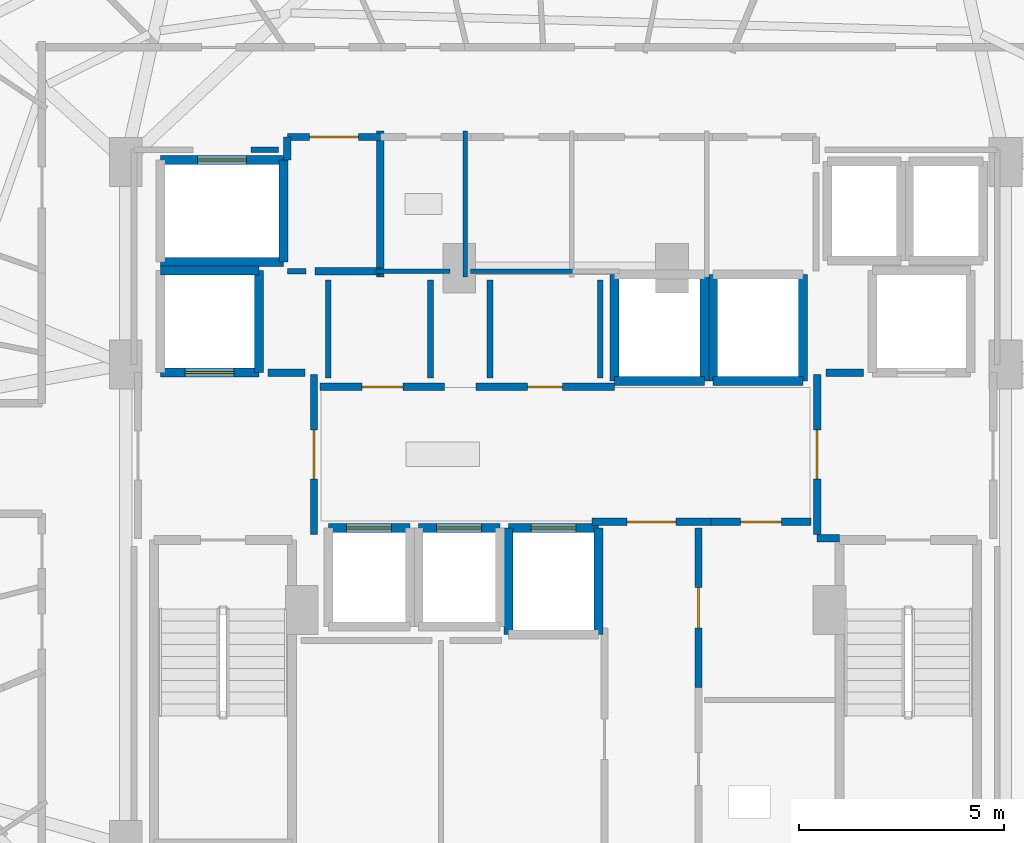
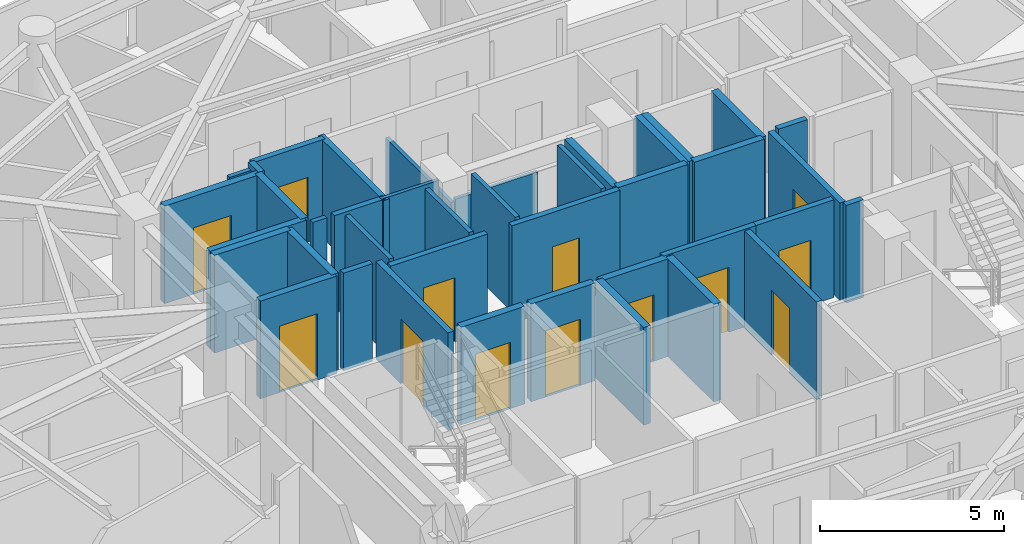
# One storey, part 22 of 28: 40 walls, 13 doors, 13 openings.
"""IFC4 building model written with IfcOpenShell, lengths in metres."""

from ifc_helpers import new_model, si_unit, direction, frame, frame_2d, origin, place, context, subcontext, project, spatial, rectangle, extrude, material, layer, layer_set, type_object, element, fill, save


model = new_model("IFC4")

# Units and contexts
model_context = context("Model", 3, precision=1e-05, world=origin(), true_north=direction((0.0, 1.0)))
body_context = subcontext(model_context, "Body", "Model", "MODEL_VIEW")
ifc_project = project(units=[si_unit("LENGTHUNIT", "METRE"), si_unit("AREAUNIT", "SQUARE_METRE"), si_unit("VOLUMEUNIT", "CUBIC_METRE"), si_unit("PLANEANGLEUNIT", "RADIAN"), si_unit("MASSUNIT", "GRAM", prefix="KILO")], contexts=[model_context])

# Site, building, storey
site_placement = place(None, origin())
site = spatial("IfcSite", under=ifc_project, at=site_placement, CompositionType="ELEMENT")
building_placement = place(site_placement, origin())
building = spatial("IfcBuilding", under=site, at=building_placement, Name="Vorneva Point Tower", CompositionType="ELEMENT")
storey_placement = place(building_placement, frame((0.0, 0.0, 160.60009765625)))
storey = spatial("IfcBuildingStorey", under=building, at=storey_placement, Name="L43", CompositionType="ELEMENT", Elevation=160.60009765625)

# Wall, opening, door
ifc_material_1 = material(Name="Concrete B60 (C50/60)", Category="concrete")
ifc_layer_1 = layer(ifc_material_1, 0.5)
ifc_layer_set_1 = layer_set([ifc_layer_1], Name="Concrete B60 (C50/60)")
wall_type_1 = type_object("IfcWallType", Name="WL-CORE-500", PredefinedType="SHEAR", material=ifc_layer_set_1)
wall_1_placement = place(storey_placement, frame((28.10009765625, 28.0, 0.0), z_axis=(0.0, 0.0, 1.0), x_axis=(1.0, 0.0, 0.0)))
wall_1 = element("IfcWall", 1, at=wall_1_placement, inside=storey, type_object=wall_type_1, Name="L43 Lift FFL1 Shaft Wall -Y", PredefinedType="SHEAR", context=body_context, shape_type="SweptSolid", body=[
    extrude(rectangle(XDim=2.39990234375, YDim=0.219970703125, at=frame_2d((1.199951171875, 0.0))), origin(), (0.0, 0.0, 1.0), 3.239990234375),
])
opening_1_placement = place(wall_1_placement, frame((0.60009765625, 0.0, 0.0)))
opening_1 = element("IfcOpeningElement", 2, at=opening_1_placement, cuts=wall_1, Name="Opening LD-02", PredefinedType="OPENING", context=body_context, shape_type="SweptSolid", body=[
    extrude(rectangle(XDim=1.199951171875, YDim=2.199951171875, at=frame_2d((0.60009765625, 1.10009765625))), frame((0.0, 0.125, 0.0), z_axis=(0.0, -1.0, 0.0), x_axis=(1.0, 0.0, 0.0)), (0.0, 0.0, 1.0), 0.249755859375),
])
ifc_material_2 = material(Name="Brushed stainless steel S304", Category="steel")
door_type_1 = type_object("IfcDoorType", Name="LD-FIRE-1200", OperationType="SLIDING_TO_LEFT", PredefinedType="DOOR", material=ifc_material_2)
door_1_placement = place(opening_1_placement, origin())
door_1 = element("IfcDoor", 3, at=door_1_placement, inside=storey, type_object=door_type_1, Name="L43 Lift FFL1 Sliding Landing Door", OperationType="SLIDING_TO_LEFT", OverallHeight=2.199951171875, OverallWidth=1.199951171875, PredefinedType="DOOR", context=body_context, shape_type="SweptSolid", body=[
    extrude(rectangle(XDim=1.199951171875, YDim=2.199951171875, at=frame_2d((0.60009765625, 1.10009765625))), frame((0.0, 0.02490234375, 0.0), z_axis=(0.0, -1.0, 0.0), x_axis=(1.0, 0.0, 0.0)), (0.0, 0.0, 1.0), 0.050048828125),
])
fill(opening_1, door_1)

# Walls
wall_2_placement = place(storey_placement, frame((30.5, 28.0, 0.0), z_axis=(0.0, 0.0, 1.0), x_axis=(0.0, 1.0, 0.0)))
element("IfcWall", 4, at=wall_2_placement, inside=storey, type_object=wall_type_1, Name="L43 Lift FFL1 Shaft Wall +X", PredefinedType="SHEAR", context=body_context, shape_type="SweptSolid", body=[
    extrude(rectangle(XDim=2.5, YDim=0.219970703125, at=frame_2d((1.25, 0.0))), origin(), (0.0, 0.0, 1.0), 3.239990234375),
])
wall_3_placement = place(storey_placement, frame((30.5, 30.5, 0.0), z_axis=(0.0, 0.0, 1.0), x_axis=(-1.0, 0.0, 0.0)))
element("IfcWall", 5, at=wall_3_placement, inside=storey, type_object=wall_type_1, Name="L43 Lift FFL1 Shaft Wall +Y", PredefinedType="SHEAR", context=body_context, shape_type="SweptSolid", body=[
    extrude(rectangle(XDim=2.39990234375, YDim=0.219970703125, at=frame_2d((1.199951171875, 0.0))), origin(), (0.0, 0.0, 1.0), 3.239990234375),
])
ifc_material_3 = material(Name="Fire-rated acoustic gypsum stud partition", Category="gypsum")
ifc_layer_2 = layer(ifc_material_3, 0.110107421875)
ifc_layer_set_2 = layer_set([ifc_layer_2], Name="Fire-rated acoustic gypsum stud partition")
wall_type_2 = type_object("IfcWallType", Name="WL-PART-110", PredefinedType="PARTITIONING", material=ifc_layer_set_2)
wall_4_placement = place(storey_placement, frame((35.550048828125, 30.340087890625, 0.0), z_axis=(0.0, 0.0, 1.0), x_axis=(0.0, 1.0, 0.0)))
element("IfcWall", 6, at=wall_4_placement, inside=storey, type_object=wall_type_2, Name="L43 Interior Partition 020", PredefinedType="PARTITIONING", context=body_context, shape_type="SweptSolid", body=[
    extrude(rectangle(XDim=3.559814453125, YDim=0.110107421875, at=frame_2d((1.77978515625, 0.0))), origin(), (0.0, 0.0, 1.0), 2.431884765625),
])
wall_5_placement = place(storey_placement, frame((33.360107421875, 30.47998046875, 0.0), z_axis=(0.0, 0.0, 1.0), x_axis=(1.0, 0.0, 0.0)))
element("IfcWall", 7, at=wall_5_placement, inside=storey, type_object=wall_type_2, Name="L43 Interior Partition 021", PredefinedType="PARTITIONING", context=body_context, shape_type="SweptSolid", body=[
    extrude(rectangle(XDim=1.809814453125, YDim=0.110107421875, at=frame_2d((0.90478515625, 0.0))), origin(), (0.0, 0.0, 1.0), 3.239990234375),
])
wall_6_placement = place(storey_placement, frame((35.679931640625, 30.47998046875, 0.0), z_axis=(0.0, 0.0, 1.0), x_axis=(1.0, 0.0, 0.0)))
element("IfcWall", 8, at=wall_6_placement, inside=storey, type_object=wall_type_2, Name="L43 Interior Partition 024", PredefinedType="PARTITIONING", context=body_context, shape_type="SweptSolid", body=[
    extrude(rectangle(XDim=2.594970703125, YDim=0.110107421875, at=frame_2d((1.29736328125, 0.0))), origin(), (0.0, 0.0, 1.0), 2.431884765625),
])
ifc_layer_3 = layer(ifc_material_3, 0.139892578125)
ifc_layer_set_3 = layer_set([ifc_layer_3], Name="Fire-rated acoustic gypsum stud partition")
wall_type_3 = type_object("IfcWallType", Name="WL-PART-140", PredefinedType="PARTITIONING", material=ifc_layer_set_3)
wall_7_placement = place(storey_placement, frame((31.199951171875, 30.47998046875, 0.0), z_axis=(0.0, 0.0, 1.0), x_axis=(1.0, 0.0, 0.0)))
element("IfcWall", 9, at=wall_7_placement, inside=storey, type_object=wall_type_3, Name="L43 Interior Closure Partition 133", PredefinedType="PARTITIONING", context=body_context, shape_type="SweptSolid", body=[
    extrude(rectangle(XDim=0.449951171875, YDim=0.139892578125, at=frame_2d((0.22509765625, 0.0))), origin(), (0.0, 0.0, 1.0), 3.239990234375),
])
for number, where, z_axis, x_axis, name in (
    (10, (32.199951171875, 30.260009765625, 0.0), (0.0, 0.0, 1.0), (0.0, -1.0, 0.0), "L43 Interior Closure Partition 137"),
    (11, (34.699951171875, 27.8701171875, 0.0), (0.0, 0.0, 1.0), (0.0, 1.0, 0.0), "L43 Interior Closure Partition 138"),
    (12, (36.14990234375, 30.260009765625, 0.0), (0.0, 0.0, 1.0), (0.0, -1.0, 0.0), "L43 Interior Closure Partition 139"),
    (13, (38.85009765625, 27.8701171875, 0.0), (0.0, 0.0, 1.0), (0.0, 1.0, 0.0), "L43 Interior Closure Partition 140"),
):
    element("IfcWall", number, at=place(storey_placement, frame(where, z_axis=z_axis, x_axis=x_axis)), inside=storey, type_object=wall_type_3, Name=name, PredefinedType="PARTITIONING", context=body_context, shape_type="SweptSolid", body=[
        extrude(rectangle(XDim=2.389892578125, YDim=0.139892578125, at=frame_2d((1.19482421875, 0.0))), origin(), (0.0, 0.0, 1.0), 3.239990234375),
    ])
wall_8_placement = place(storey_placement, frame((30.97998046875, 33.449951171875, 0.0), z_axis=(0.0, 0.0, 1.0), x_axis=(-1.0, 0.0, 0.0)))
element("IfcWall", 14, at=wall_8_placement, inside=storey, type_object=wall_type_3, Name="L43 Interior Closure Partition 143", PredefinedType="PARTITIONING", context=body_context, shape_type="SweptSolid", body=[
    extrude(rectangle(XDim=0.674072265625, YDim=0.139892578125, at=frame_2d((0.3369140625, 0.0))), origin(), (0.0, 0.0, 1.0), 3.239990234375),
])

# Wall, opening, door
ifc_material_4 = material(Name="Autoclaved aerated concrete blockwork", Category="masonry")
ifc_layer_4 = layer(ifc_material_4, 0.179931640625)
ifc_layer_set_4 = layer_set([ifc_layer_4], Name="Autoclaved aerated concrete blockwork")
wall_type_4 = type_object("IfcWallType", Name="WL-PART-180", PredefinedType="PARTITIONING", material=ifc_layer_set_4)
wall_9_placement = place(storey_placement, frame((31.85009765625, 24.044921875, 0.0), z_axis=(0.0, 0.0, 1.0), x_axis=(0.0, 1.0, 0.0)))
wall_9 = element("IfcWall", 15, at=wall_9_placement, inside=storey, type_object=wall_type_4, Name="L43 Interior Partition 001", PredefinedType="PARTITIONING", context=body_context, shape_type="SweptSolid", body=[
    extrude(rectangle(XDim=3.91015625, YDim=0.179931640625, at=frame_2d((1.955078125, 0.0))), origin(), (0.0, 0.0, 1.0), 3.239990234375),
])
opening_2_placement = place(wall_9_placement, frame((1.35498046875, 0.0, 0.0)))
opening_2 = element("IfcOpeningElement", 16, at=opening_2_placement, cuts=wall_9, Name="Opening FD-02", PredefinedType="OPENING", context=body_context, shape_type="SweptSolid", body=[
    extrude(rectangle(XDim=1.199951171875, YDim=2.14990234375, at=frame_2d((0.60009765625, 1.074951171875))), frame((0.0, 0.10498046875, 0.0), z_axis=(0.0, -1.0, 0.0), x_axis=(1.0, 0.0, 0.0)), (0.0, 0.0, 1.0), 0.209716796875),
])
ifc_material_5 = material(Name="Fire-rated powder-coated steel", Category="steel")
door_type_2 = type_object("IfcDoorType", Name="DR-FFL-1200", OperationType="NOTDEFINED", PredefinedType="DOOR", material=ifc_material_5)
door_2_placement = place(opening_2_placement, origin())
door_2 = element("IfcDoor", 17, at=door_2_placement, inside=storey, type_object=door_type_2, Name="L43 Door West Firefighting Lobby / Central Lift Lobby", OperationType="SINGLE_SWING_LEFT", OverallHeight=2.14990234375, OverallWidth=1.199951171875, PredefinedType="DOOR", context=body_context, shape_type="SweptSolid", body=[
    extrude(rectangle(XDim=1.199951171875, YDim=2.14990234375, at=frame_2d((0.60009765625, 1.074951171875))), frame((0.0, 0.02490234375, 0.0), z_axis=(0.0, -1.0, 0.0), x_axis=(1.0, 0.0, 0.0)), (0.0, 0.0, 1.0), 0.050048828125),
])
fill(opening_2, door_2)

wall_10_placement = place(storey_placement, frame((44.14990234375, 27.955078125, 0.0), z_axis=(0.0, 0.0, 1.0), x_axis=(0.0, -1.0, 0.0)))
wall_10 = element("IfcWall", 18, at=wall_10_placement, inside=storey, type_object=wall_type_4, Name="L43 Interior Partition 003", PredefinedType="PARTITIONING", context=body_context, shape_type="SweptSolid", body=[
    extrude(rectangle(XDim=3.91015625, YDim=0.179931640625, at=frame_2d((1.955078125, 0.0))), origin(), (0.0, 0.0, 1.0), 3.239990234375),
])
opening_3_placement = place(wall_10_placement, frame((1.35498046875, 0.0, 0.0)))
opening_3 = element("IfcOpeningElement", 19, at=opening_3_placement, cuts=wall_10, Name="Opening FD-02", PredefinedType="OPENING", context=body_context, shape_type="SweptSolid", body=[
    extrude(rectangle(XDim=1.199951171875, YDim=2.14990234375, at=frame_2d((0.60009765625, 1.074951171875))), frame((0.0, 0.10498046875, 0.0), z_axis=(0.0, -1.0, 0.0), x_axis=(1.0, 0.0, 0.0)), (0.0, 0.0, 1.0), 0.209716796875),
])
door_3_placement = place(opening_3_placement, origin())
door_3 = element("IfcDoor", 20, at=door_3_placement, inside=storey, type_object=door_type_2, Name="L43 Door East Firefighting Lobby / Central Lift Lobby", OperationType="SINGLE_SWING_LEFT", OverallHeight=2.14990234375, OverallWidth=1.199951171875, PredefinedType="DOOR", context=body_context, shape_type="SweptSolid", body=[
    extrude(rectangle(XDim=1.199951171875, YDim=2.14990234375, at=frame_2d((0.60009765625, 1.074951171875))), frame((0.0, 0.02490234375, 0.0), z_axis=(0.0, -1.0, 0.0), x_axis=(1.0, 0.0, 0.0)), (0.0, 0.0, 1.0), 0.050048828125),
])
fill(opening_3, door_3)

# Walls
wall_11_placement = place(storey_placement, frame((44.14990234375, 23.949951171875, 0.0), z_axis=(0.0, 0.0, 1.0), x_axis=(1.0, 0.0, 0.0)))
element("IfcWall", 21, at=wall_11_placement, inside=storey, type_object=wall_type_4, Name="L43 Interior Partition 004", PredefinedType="PARTITIONING", context=body_context, shape_type="SweptSolid", body=[
    extrude(rectangle(XDim=0.5400390625, YDim=0.179931640625, at=frame_2d((0.27001953125, 0.0))), origin(), (0.0, 0.0, 1.0), 3.239990234375),
])
wall_12_placement = place(storey_placement, frame((33.469970703125, 30.340087890625, 0.0), z_axis=(0.0, 0.0, 1.0), x_axis=(0.0, 1.0, 0.0)))
element("IfcWall", 22, at=wall_12_placement, inside=storey, type_object=wall_type_4, Name="L43 Interior Partition 006", PredefinedType="PARTITIONING", context=body_context, shape_type="SweptSolid", body=[
    extrude(rectangle(XDim=3.559814453125, YDim=0.179931640625, at=frame_2d((1.77978515625, 0.0))), origin(), (0.0, 0.0, 1.0), 3.239990234375),
])
wall_13_placement = place(storey_placement, frame((31.8701171875, 30.47998046875, 0.0), z_axis=(0.0, 0.0, 1.0), x_axis=(1.0, 0.0, 0.0)))
element("IfcWall", 23, at=wall_13_placement, inside=storey, type_object=wall_type_4, Name="L43 Interior Partition 007", PredefinedType="PARTITIONING", context=body_context, shape_type="SweptSolid", body=[
    extrude(rectangle(XDim=1.599853515625, YDim=0.179931640625, at=frame_2d((0.7998046875, 0.0))), origin(), (0.0, 0.0, 1.0), 3.239990234375),
])

# Wall, opening, door
wall_14_placement = place(storey_placement, frame((33.469970703125, 33.760009765625, 0.0), z_axis=(0.0, 0.0, 1.0), x_axis=(-1.0, 0.0, 0.0)))
wall_14 = element("IfcWall", 24, at=wall_14_placement, inside=storey, type_object=wall_type_4, Name="L43 Interior Partition 008", PredefinedType="PARTITIONING", context=body_context, shape_type="SweptSolid", body=[
    extrude(rectangle(XDim=2.27001953125, YDim=0.179931640625, at=frame_2d((1.135009765625, 0.0))), origin(), (0.0, 0.0, 1.0), 3.239990234375),
])
opening_4_placement = place(wall_14_placement, frame((0.534912109375, 0.0, 0.0)))
opening_4 = element("IfcOpeningElement", 25, at=opening_4_placement, cuts=wall_14, Name="Opening FD-02", PredefinedType="OPENING", context=body_context, shape_type="SweptSolid", body=[
    extrude(rectangle(XDim=1.199951171875, YDim=2.14990234375, at=frame_2d((0.60009765625, 1.074951171875))), frame((0.0, 0.10498046875, 0.0), z_axis=(0.0, -1.0, 0.0), x_axis=(1.0, 0.0, 0.0)), (0.0, 0.0, 1.0), 0.209716796875),
])
door_4_placement = place(opening_4_placement, origin())
door_4 = element("IfcDoor", 26, at=door_4_placement, inside=storey, type_object=door_type_2, Name="L43 Door Service Lift Lobby / L43 Circulation Corridor", OperationType="SINGLE_SWING_LEFT", OverallHeight=2.14990234375, OverallWidth=1.199951171875, PredefinedType="DOOR", context=body_context, shape_type="SweptSolid", body=[
    extrude(rectangle(XDim=1.199951171875, YDim=2.14990234375, at=frame_2d((0.60009765625, 1.074951171875))), frame((0.0, 0.02490234375, 0.0), z_axis=(0.0, -1.0, 0.0), x_axis=(1.0, 0.0, 0.0)), (0.0, 0.0, 1.0), 0.050048828125),
])
fill(opening_4, door_4)

# Wall
wall_15_placement = place(storey_placement, frame((31.199951171875, 33.760009765625, 0.0), z_axis=(0.0, 0.0, 1.0), x_axis=(0.0, -1.0, 0.0)))
element("IfcWall", 27, at=wall_15_placement, inside=storey, type_object=wall_type_4, Name="L43 Interior Partition 009", PredefinedType="PARTITIONING", context=body_context, shape_type="SweptSolid", body=[
    extrude(rectangle(XDim=0.56005859375, YDim=0.179931640625, at=frame_2d((0.280029296875, 0.0))), origin(), (0.0, 0.0, 1.0), 3.239990234375),
])

# Wall, opening, door
wall_16_placement = place(storey_placement, frame((38.64501953125, 24.35009765625, 0.0), z_axis=(0.0, 0.0, 1.0), x_axis=(1.0, 0.0, 0.0)))
wall_16 = element("IfcWall", 28, at=wall_16_placement, inside=storey, type_object=wall_type_4, Name="L43 Interior Partition 010", PredefinedType="PARTITIONING", context=body_context, shape_type="SweptSolid", body=[
    extrude(rectangle(XDim=2.909912109375, YDim=0.179931640625, at=frame_2d((1.455078125, 0.0))), origin(), (0.0, 0.0, 1.0), 3.239990234375),
])
opening_5_placement = place(wall_16_placement, frame((0.85498046875, 0.0, 0.0)))
opening_5 = element("IfcOpeningElement", 29, at=opening_5_placement, cuts=wall_16, Name="Opening FD-02", PredefinedType="OPENING", context=body_context, shape_type="SweptSolid", body=[
    extrude(rectangle(XDim=1.199951171875, YDim=2.14990234375, at=frame_2d((0.60009765625, 1.074951171875))), frame((0.0, 0.10498046875, 0.0), z_axis=(0.0, -1.0, 0.0), x_axis=(1.0, 0.0, 0.0)), (0.0, 0.0, 1.0), 0.209716796875),
])
door_5_placement = place(opening_5_placement, origin())
door_5 = element("IfcDoor", 30, at=door_5_placement, inside=storey, type_object=door_type_2, Name="L43 Door Central Lift Lobby / Core Service Lobby", OperationType="SINGLE_SWING_RIGHT", OverallHeight=2.14990234375, OverallWidth=1.199951171875, PredefinedType="DOOR", context=body_context, shape_type="SweptSolid", body=[
    extrude(rectangle(XDim=1.199951171875, YDim=2.14990234375, at=frame_2d((0.60009765625, 1.074951171875))), frame((0.0, 0.02490234375, 0.0), z_axis=(0.0, -1.0, 0.0), x_axis=(1.0, 0.0, 0.0)), (0.0, 0.0, 1.0), 0.050048828125),
])
fill(opening_5, door_5)

wall_17_placement = place(storey_placement, frame((41.554931640625, 24.35009765625, 0.0), z_axis=(0.0, 0.0, 1.0), x_axis=(1.0, 0.0, 0.0)))
wall_17 = element("IfcWall", 31, at=wall_17_placement, inside=storey, type_object=wall_type_4, Name="L43 Interior Partition 011", PredefinedType="PARTITIONING", context=body_context, shape_type="SweptSolid", body=[
    extrude(rectangle(XDim=2.445068359375, YDim=0.179931640625, at=frame_2d((1.22265625, 0.0))), origin(), (0.0, 0.0, 1.0), 3.239990234375),
])
opening_6_placement = place(wall_17_placement, frame((0.722412109375, 0.0, 0.0)))
opening_6 = element("IfcOpeningElement", 32, at=opening_6_placement, cuts=wall_17, Name="Opening UD-01", PredefinedType="OPENING", context=body_context, shape_type="SweptSolid", body=[
    extrude(rectangle(XDim=1.0, YDim=2.14990234375, at=frame_2d((0.5, 1.074951171875))), frame((0.0, 0.10498046875, 0.0), z_axis=(0.0, -1.0, 0.0), x_axis=(1.0, 0.0, 0.0)), (0.0, 0.0, 1.0), 0.209716796875),
])
ifc_material_6 = material(Name="Engineered oak fire-rated door leaf", Category="wood")
door_type_3 = type_object("IfcDoorType", Name="DR-UNIT-1000", OperationType="NOTDEFINED", PredefinedType="DOOR", material=ifc_material_6)
door_6_placement = place(opening_6_placement, origin())
door_6 = element("IfcDoor", 33, at=door_6_placement, inside=storey, type_object=door_type_3, Name="L43 Door Central Lift Lobby / Floor Management Office", OperationType="SINGLE_SWING_LEFT", OverallHeight=2.14990234375, OverallWidth=1.0, PredefinedType="DOOR", context=body_context, shape_type="SweptSolid", body=[
    extrude(rectangle(XDim=1.0, YDim=2.14990234375, at=frame_2d((0.5, 1.074951171875))), frame((0.0, 0.02490234375, 0.0), z_axis=(0.0, -1.0, 0.0), x_axis=(1.0, 0.0, 0.0)), (0.0, 0.0, 1.0), 0.050048828125),
])
fill(opening_6, door_6)

wall_18_placement = place(storey_placement, frame((35.0400390625, 27.64990234375, 0.0), z_axis=(0.0, 0.0, 1.0), x_axis=(-1.0, 0.0, 0.0)))
wall_18 = element("IfcWall", 34, at=wall_18_placement, inside=storey, type_object=wall_type_4, Name="L43 Interior Partition 012", PredefinedType="PARTITIONING", context=body_context, shape_type="SweptSolid", body=[
    extrude(rectangle(XDim=3.0400390625, YDim=0.179931640625, at=frame_2d((1.52001953125, 0.0))), origin(), (0.0, 0.0, 1.0), 3.239990234375),
])
opening_7_placement = place(wall_18_placement, frame((1.02001953125, 0.0, 0.0)))
opening_7 = element("IfcOpeningElement", 35, at=opening_7_placement, cuts=wall_18, Name="Opening UD-01", PredefinedType="OPENING", context=body_context, shape_type="SweptSolid", body=[
    extrude(rectangle(XDim=1.0, YDim=2.14990234375, at=frame_2d((0.5, 1.074951171875))), frame((0.0, 0.10498046875, 0.0), z_axis=(0.0, -1.0, 0.0), x_axis=(1.0, 0.0, 0.0)), (0.0, 0.0, 1.0), 0.209716796875),
])
door_7_placement = place(opening_7_placement, origin())
door_7 = element("IfcDoor", 36, at=door_7_placement, inside=storey, type_object=door_type_3, Name="L43 Door Central Lift Lobby / Reclaimed Core Lounge", OperationType="SINGLE_SWING_RIGHT", OverallHeight=2.14990234375, OverallWidth=1.0, PredefinedType="DOOR", context=body_context, shape_type="SweptSolid", body=[
    extrude(rectangle(XDim=1.0, YDim=2.14990234375, at=frame_2d((0.5, 1.074951171875))), frame((0.0, 0.02490234375, 0.0), z_axis=(0.0, -1.0, 0.0), x_axis=(1.0, 0.0, 0.0)), (0.0, 0.0, 1.0), 0.050048828125),
])
fill(opening_7, door_7)

wall_19_placement = place(storey_placement, frame((39.18994140625, 27.64990234375, 0.0), z_axis=(0.0, 0.0, 1.0), x_axis=(-1.0, 0.0, 0.0)))
wall_19 = element("IfcWall", 37, at=wall_19_placement, inside=storey, type_object=wall_type_4, Name="L43 Interior Partition 013", PredefinedType="PARTITIONING", context=body_context, shape_type="SweptSolid", body=[
    extrude(rectangle(XDim=3.3798828125, YDim=0.179931640625, at=frame_2d((1.68994140625, 0.0))), origin(), (0.0, 0.0, 1.0), 3.239990234375),
])
opening_8_placement = place(wall_19_placement, frame((1.264892578125, 0.0, 0.0)))
opening_8 = element("IfcOpeningElement", 38, at=opening_8_placement, cuts=wall_19, Name="Opening ID-02", PredefinedType="OPENING", context=body_context, shape_type="SweptSolid", body=[
    extrude(rectangle(XDim=0.85009765625, YDim=2.10009765625, at=frame_2d((0.425048828125, 1.050048828125))), frame((0.0, 0.10498046875, 0.0), z_axis=(0.0, -1.0, 0.0), x_axis=(1.0, 0.0, 0.0)), (0.0, 0.0, 1.0), 0.209716796875),
])
door_type_4 = type_object("IfcDoorType", Name="DR-BATH-850", OperationType="NOTDEFINED", PredefinedType="DOOR", material=ifc_material_6)
door_8_placement = place(opening_8_placement, origin())
door_8 = element("IfcDoor", 39, at=door_8_placement, inside=storey, type_object=door_type_4, Name="L43 Door Central Lift Lobby / Reclaimed Core Archive Store", OperationType="SINGLE_SWING_LEFT", OverallHeight=2.10009765625, OverallWidth=0.85009765625, PredefinedType="DOOR", context=body_context, shape_type="SweptSolid", body=[
    extrude(rectangle(XDim=0.85009765625, YDim=2.10009765625, at=frame_2d((0.425048828125, 1.050048828125))), frame((0.0, 0.02490234375, 0.0), z_axis=(0.0, -1.0, 0.0), x_axis=(1.0, 0.0, 0.0)), (0.0, 0.0, 1.0), 0.050048828125),
])
fill(opening_8, door_8)

wall_20_placement = place(storey_placement, frame((41.25, 20.304931640625, 0.0), z_axis=(0.0, 0.0, 1.0), x_axis=(0.0, 1.0, 0.0)))
wall_20 = element("IfcWall", 40, at=wall_20_placement, inside=storey, type_object=wall_type_4, Name="L43 Interior Partition 015", PredefinedType="PARTITIONING", context=body_context, shape_type="SweptSolid", body=[
    extrude(rectangle(XDim=3.89501953125, YDim=0.179931640625, at=frame_2d((1.947509765625, 0.0))), origin(), (0.0, 0.0, 1.0), 3.239990234375),
])
opening_9_placement = place(wall_20_placement, frame((1.447509765625, 0.0, 0.0)))
opening_9 = element("IfcOpeningElement", 41, at=opening_9_placement, cuts=wall_20, Name="Opening UD-01", PredefinedType="OPENING", context=body_context, shape_type="SweptSolid", body=[
    extrude(rectangle(XDim=1.0, YDim=2.14990234375, at=frame_2d((0.5, 1.074951171875))), frame((0.0, 0.10498046875, 0.0), z_axis=(0.0, -1.0, 0.0), x_axis=(1.0, 0.0, 0.0)), (0.0, 0.0, 1.0), 0.209716796875),
])
door_9_placement = place(opening_9_placement, origin())
door_9 = element("IfcDoor", 42, at=door_9_placement, inside=storey, type_object=door_type_3, Name="L43 Door Core Service Lobby / Floor Management Office", OperationType="SINGLE_SWING_LEFT", OverallHeight=2.14990234375, OverallWidth=1.0, PredefinedType="DOOR", context=body_context, shape_type="SweptSolid", body=[
    extrude(rectangle(XDim=1.0, YDim=2.14990234375, at=frame_2d((0.5, 1.074951171875))), frame((0.0, 0.02490234375, 0.0), z_axis=(0.0, -1.0, 0.0), x_axis=(1.0, 0.0, 0.0)), (0.0, 0.0, 1.0), 0.050048828125),
])
fill(opening_9, door_9)

# Walls
for number, where, z_axis, x_axis, name in (
    (43, (31.635009765625, 28.0, 0.0), (0.0, 0.0, 1.0), (-1.0, 0.0, 0.0), "L43 Interior Closure Partition 131"),
    (44, (45.280029296875, 28.0, 0.0), (0.0, 0.0, 1.0), (-1.0, 0.0, 0.0), "L43 Interior Closure Partition 132"),
):
    element("IfcWall", number, at=place(storey_placement, frame(where, z_axis=z_axis, x_axis=x_axis)), inside=storey, type_object=wall_type_4, Name=name, PredefinedType="PARTITIONING", context=body_context, shape_type="SweptSolid", body=[
        extrude(rectangle(XDim=0.9150390625, YDim=0.179931640625, at=frame_2d((0.45751953125, 0.0))), origin(), (0.0, 0.0, 1.0), 3.239990234375),
    ])

# Wall, opening, door
ifc_material_7 = material(Name="Concrete B50 (C40/50)", Category="concrete")
ifc_layer_5 = layer(ifc_material_7, 0.219970703125)
ifc_layer_set_5 = layer_set([ifc_layer_5], Name="Concrete B50 (C40/50)")
wall_type_5 = type_object("IfcWallType", Name="WL-SHFT-220", PredefinedType="SOLIDWALL", material=ifc_layer_set_5)
wall_21_placement = place(storey_placement, frame((34.199951171875, 24.199951171875, 0.0), z_axis=(0.0, 0.0, 1.0), x_axis=(-1.0, 0.0, 0.0)))
wall_21 = element("IfcWall", 45, at=wall_21_placement, inside=storey, type_object=wall_type_5, Name="L43 Lift PL4 Shaft Wall +Y", PredefinedType="SOLIDWALL", context=body_context, shape_type="SweptSolid", body=[
    extrude(rectangle(XDim=2.0, YDim=0.219970703125, at=frame_2d((1.0, 0.0))), origin(), (0.0, 0.0, 1.0), 3.239990234375),
])
opening_10_placement = place(wall_21_placement, frame((0.449951171875, 0.0, 0.0)))
opening_10 = element("IfcOpeningElement", 46, at=opening_10_placement, cuts=wall_21, Name="Opening LD-01", PredefinedType="OPENING", context=body_context, shape_type="SweptSolid", body=[
    extrude(rectangle(XDim=1.10009765625, YDim=2.199951171875, at=frame_2d((0.550048828125, 1.10009765625))), frame((0.0, 0.125, 0.0), z_axis=(0.0, -1.0, 0.0), x_axis=(1.0, 0.0, 0.0)), (0.0, 0.0, 1.0), 0.249755859375),
])
door_type_5 = type_object("IfcDoorType", Name="LD-PASS-1100", OperationType="SLIDING_TO_LEFT", PredefinedType="DOOR", material=ifc_material_2)
door_10_placement = place(opening_10_placement, origin())
door_10 = element("IfcDoor", 47, at=door_10_placement, inside=storey, type_object=door_type_5, Name="L43 Lift PL4 Sliding Landing Door", OperationType="SLIDING_TO_LEFT", OverallHeight=2.199951171875, OverallWidth=1.10009765625, PredefinedType="DOOR", context=body_context, shape_type="SweptSolid", body=[
    extrude(rectangle(XDim=1.10009765625, YDim=2.199951171875, at=frame_2d((0.550048828125, 1.10009765625))), frame((0.0, 0.02490234375, 0.0), z_axis=(0.0, -1.0, 0.0), x_axis=(1.0, 0.0, 0.0)), (0.0, 0.0, 1.0), 0.050048828125),
])
fill(opening_10, door_10)

wall_22_placement = place(storey_placement, frame((36.39990234375, 24.199951171875, 0.0), z_axis=(0.0, 0.0, 1.0), x_axis=(-1.0, 0.0, 0.0)))
wall_22 = element("IfcWall", 48, at=wall_22_placement, inside=storey, type_object=wall_type_5, Name="L43 Lift PL5 Shaft Wall +Y", PredefinedType="SOLIDWALL", context=body_context, shape_type="SweptSolid", body=[
    extrude(rectangle(XDim=2.0, YDim=0.219970703125, at=frame_2d((1.0, 0.0))), origin(), (0.0, 0.0, 1.0), 3.239990234375),
])
opening_11_placement = place(wall_22_placement, frame((0.449951171875, 0.0, 0.0)))
opening_11 = element("IfcOpeningElement", 49, at=opening_11_placement, cuts=wall_22, Name="Opening LD-01", PredefinedType="OPENING", context=body_context, shape_type="SweptSolid", body=[
    extrude(rectangle(XDim=1.10009765625, YDim=2.199951171875, at=frame_2d((0.550048828125, 1.10009765625))), frame((0.0, 0.125, 0.0), z_axis=(0.0, -1.0, 0.0), x_axis=(1.0, 0.0, 0.0)), (0.0, 0.0, 1.0), 0.249755859375),
])
door_11_placement = place(opening_11_placement, origin())
door_11 = element("IfcDoor", 50, at=door_11_placement, inside=storey, type_object=door_type_5, Name="L43 Lift PL5 Sliding Landing Door", OperationType="SLIDING_TO_LEFT", OverallHeight=2.199951171875, OverallWidth=1.10009765625, PredefinedType="DOOR", context=body_context, shape_type="SweptSolid", body=[
    extrude(rectangle(XDim=1.10009765625, YDim=2.199951171875, at=frame_2d((0.550048828125, 1.10009765625))), frame((0.0, 0.02490234375, 0.0), z_axis=(0.0, -1.0, 0.0), x_axis=(1.0, 0.0, 0.0)), (0.0, 0.0, 1.0), 0.050048828125),
])
fill(opening_11, door_11)

# Wall
wall_23_placement = place(storey_placement, frame((38.800048828125, 21.60009765625, 0.0), z_axis=(0.0, 0.0, 1.0), x_axis=(0.0, 1.0, 0.0)))
element("IfcWall", 51, at=wall_23_placement, inside=storey, type_object=wall_type_5, Name="L43 Lift PL6 Shaft Wall +X", PredefinedType="SOLIDWALL", context=body_context, shape_type="SweptSolid", body=[
    extrude(rectangle(XDim=2.599853515625, YDim=0.219970703125, at=frame_2d((1.2998046875, 0.0))), origin(), (0.0, 0.0, 1.0), 3.239990234375),
])

# Wall, opening, door
wall_24_placement = place(storey_placement, frame((38.800048828125, 24.199951171875, 0.0), z_axis=(0.0, 0.0, 1.0), x_axis=(-1.0, 0.0, 0.0)))
wall_24 = element("IfcWall", 52, at=wall_24_placement, inside=storey, type_object=wall_type_5, Name="L43 Lift PL6 Shaft Wall +Y", PredefinedType="SOLIDWALL", context=body_context, shape_type="SweptSolid", body=[
    extrude(rectangle(XDim=2.199951171875, YDim=0.219970703125, at=frame_2d((1.10009765625, 0.0))), origin(), (0.0, 0.0, 1.0), 3.239990234375),
])
opening_12_placement = place(wall_24_placement, frame((0.550048828125, 0.0, 0.0)))
opening_12 = element("IfcOpeningElement", 53, at=opening_12_placement, cuts=wall_24, Name="Opening LD-01", PredefinedType="OPENING", context=body_context, shape_type="SweptSolid", body=[
    extrude(rectangle(XDim=1.10009765625, YDim=2.199951171875, at=frame_2d((0.550048828125, 1.10009765625))), frame((0.0, 0.125, 0.0), z_axis=(0.0, -1.0, 0.0), x_axis=(1.0, 0.0, 0.0)), (0.0, 0.0, 1.0), 0.249755859375),
])
door_12_placement = place(opening_12_placement, origin())
door_12 = element("IfcDoor", 54, at=door_12_placement, inside=storey, type_object=door_type_5, Name="L43 Lift PL6 Sliding Landing Door", OperationType="SLIDING_TO_LEFT", OverallHeight=2.199951171875, OverallWidth=1.10009765625, PredefinedType="DOOR", context=body_context, shape_type="SweptSolid", body=[
    extrude(rectangle(XDim=1.10009765625, YDim=2.199951171875, at=frame_2d((0.550048828125, 1.10009765625))), frame((0.0, 0.02490234375, 0.0), z_axis=(0.0, -1.0, 0.0), x_axis=(1.0, 0.0, 0.0)), (0.0, 0.0, 1.0), 0.050048828125),
])
fill(opening_12, door_12)

# Walls
wall_25_placement = place(storey_placement, frame((36.60009765625, 24.199951171875, 0.0), z_axis=(0.0, 0.0, 1.0), x_axis=(0.0, -1.0, 0.0)))
element("IfcWall", 55, at=wall_25_placement, inside=storey, type_object=wall_type_5, Name="L43 Lift PL6 Shaft Wall -X", PredefinedType="SOLIDWALL", context=body_context, shape_type="SweptSolid", body=[
    extrude(rectangle(XDim=2.599853515625, YDim=0.219970703125, at=frame_2d((1.2998046875, 0.0))), origin(), (0.0, 0.0, 1.0), 3.239990234375),
])
wall_26_placement = place(storey_placement, frame((39.199951171875, 27.800048828125, 0.0), z_axis=(0.0, 0.0, 1.0), x_axis=(1.0, 0.0, 0.0)))
element("IfcWall", 56, at=wall_26_placement, inside=storey, type_object=wall_type_5, Name="L43 Lift PL7 Shaft Wall -Y", PredefinedType="SOLIDWALL", context=body_context, shape_type="SweptSolid", body=[
    extrude(rectangle(XDim=2.199951171875, YDim=0.219970703125, at=frame_2d((1.10009765625, 0.0))), origin(), (0.0, 0.0, 1.0), 3.239990234375),
])
for number, where, z_axis, x_axis, name in (
    (57, (41.39990234375, 27.800048828125, 0.0), (0.0, 0.0, 1.0), (0.0, 1.0, 0.0), "L43 Lift PL7 Shaft Wall +X"),
    (58, (39.199951171875, 30.39990234375, 0.0), (0.0, 0.0, 1.0), (0.0, -1.0, 0.0), "L43 Lift PL7 Shaft Wall -X"),
):
    element("IfcWall", number, at=place(storey_placement, frame(where, z_axis=z_axis, x_axis=x_axis)), inside=storey, type_object=wall_type_5, Name=name, PredefinedType="SOLIDWALL", context=body_context, shape_type="SweptSolid", body=[
        extrude(rectangle(XDim=2.599853515625, YDim=0.219970703125, at=frame_2d((1.2998046875, 0.0))), origin(), (0.0, 0.0, 1.0), 3.239990234375),
    ])
wall_27_placement = place(storey_placement, frame((41.60009765625, 27.800048828125, 0.0), z_axis=(0.0, 0.0, 1.0), x_axis=(1.0, 0.0, 0.0)))
element("IfcWall", 59, at=wall_27_placement, inside=storey, type_object=wall_type_5, Name="L43 Lift PL8 Shaft Wall -Y", PredefinedType="SOLIDWALL", context=body_context, shape_type="SweptSolid", body=[
    extrude(rectangle(XDim=2.199951171875, YDim=0.219970703125, at=frame_2d((1.10009765625, 0.0))), origin(), (0.0, 0.0, 1.0), 3.239990234375),
])
for number, where, z_axis, x_axis, name in (
    (60, (43.800048828125, 27.800048828125, 0.0), (0.0, 0.0, 1.0), (0.0, 1.0, 0.0), "L43 Lift PL8 Shaft Wall +X"),
    (61, (41.60009765625, 30.39990234375, 0.0), (0.0, 0.0, 1.0), (0.0, -1.0, 0.0), "L43 Lift PL8 Shaft Wall -X"),
):
    element("IfcWall", number, at=place(storey_placement, frame(where, z_axis=z_axis, x_axis=x_axis)), inside=storey, type_object=wall_type_5, Name=name, PredefinedType="SOLIDWALL", context=body_context, shape_type="SweptSolid", body=[
        extrude(rectangle(XDim=2.599853515625, YDim=0.219970703125, at=frame_2d((1.2998046875, 0.0))), origin(), (0.0, 0.0, 1.0), 3.239990234375),
    ])
wall_28_placement = place(storey_placement, frame((28.10009765625, 30.699951171875, 0.0), z_axis=(0.0, 0.0, 1.0), x_axis=(1.0, 0.0, 0.0)))
element("IfcWall", 62, at=wall_28_placement, inside=storey, type_object=wall_type_5, Name="L43 Lift SVL1 Shaft Wall -Y", PredefinedType="SOLIDWALL", context=body_context, shape_type="SweptSolid", body=[
    extrude(rectangle(XDim=3.0, YDim=0.219970703125, at=frame_2d((1.5, 0.0))), origin(), (0.0, 0.0, 1.0), 3.239990234375),
])
wall_29_placement = place(storey_placement, frame((31.10009765625, 30.699951171875, 0.0), z_axis=(0.0, 0.0, 1.0), x_axis=(0.0, 1.0, 0.0)))
element("IfcWall", 63, at=wall_29_placement, inside=storey, type_object=wall_type_5, Name="L43 Lift SVL1 Shaft Wall +X", PredefinedType="SOLIDWALL", context=body_context, shape_type="SweptSolid", body=[
    extrude(rectangle(XDim=2.5, YDim=0.219970703125, at=frame_2d((1.25, 0.0))), origin(), (0.0, 0.0, 1.0), 3.239990234375),
])

# Wall, opening, door
wall_30_placement = place(storey_placement, frame((31.10009765625, 33.199951171875, 0.0), z_axis=(0.0, 0.0, 1.0), x_axis=(-1.0, 0.0, 0.0)))
wall_30 = element("IfcWall", 64, at=wall_30_placement, inside=storey, type_object=wall_type_5, Name="L43 Lift SVL1 Shaft Wall +Y", PredefinedType="SOLIDWALL", context=body_context, shape_type="SweptSolid", body=[
    extrude(rectangle(XDim=3.0, YDim=0.219970703125, at=frame_2d((1.5, 0.0))), origin(), (0.0, 0.0, 1.0), 3.239990234375),
])
opening_13_placement = place(wall_30_placement, frame((0.89990234375, 0.0, 0.0)))
opening_13 = element("IfcOpeningElement", 65, at=opening_13_placement, cuts=wall_30, Name="Opening LD-02", PredefinedType="OPENING", context=body_context, shape_type="SweptSolid", body=[
    extrude(rectangle(XDim=1.199951171875, YDim=2.199951171875, at=frame_2d((0.60009765625, 1.10009765625))), frame((0.0, 0.125, 0.0), z_axis=(0.0, -1.0, 0.0), x_axis=(1.0, 0.0, 0.0)), (0.0, 0.0, 1.0), 0.249755859375),
])
door_13_placement = place(opening_13_placement, origin())
door_13 = element("IfcDoor", 66, at=door_13_placement, inside=storey, type_object=door_type_1, Name="L43 Lift SVL1 Sliding Landing Door", OperationType="SLIDING_TO_LEFT", OverallHeight=2.199951171875, OverallWidth=1.199951171875, PredefinedType="DOOR", context=body_context, shape_type="SweptSolid", body=[
    extrude(rectangle(XDim=1.199951171875, YDim=2.199951171875, at=frame_2d((0.60009765625, 1.10009765625))), frame((0.0, 0.02490234375, 0.0), z_axis=(0.0, -1.0, 0.0), x_axis=(1.0, 0.0, 0.0)), (0.0, 0.0, 1.0), 0.050048828125),
])
fill(opening_13, door_13)

save(model, "model.ifc")
